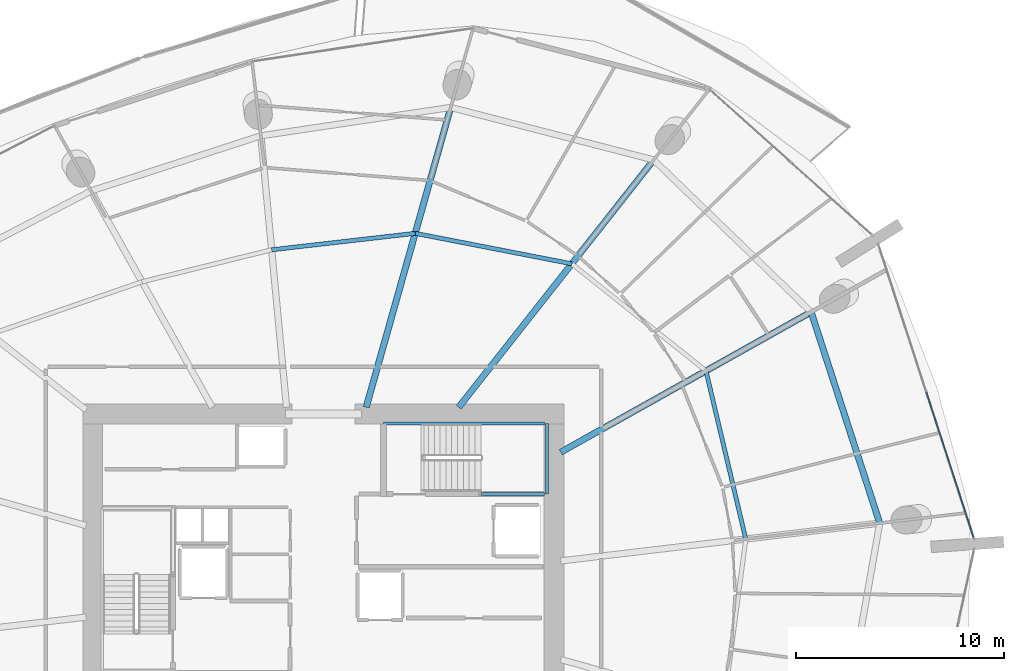
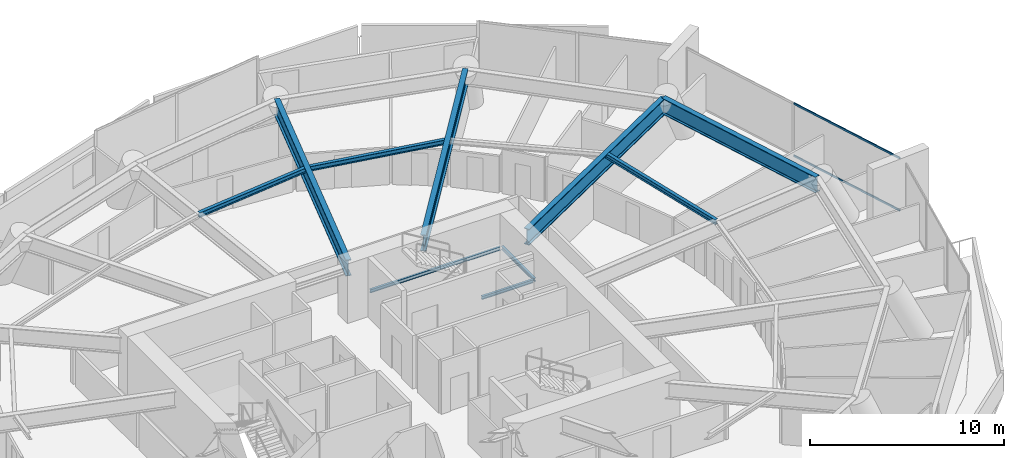
# One storey, part 13 of 31: 10 beams, 2 members, 1 element without a shape of its own.
"""IFC4 building model written with IfcOpenShell, lengths in metres."""

from ifc_helpers import new_model, si_unit, direction, frame, origin, origin_2d, place, context, subcontext, project, spatial, rectangle, i_section, extrude, material, layer, layer_set, material_profile, profile_set, type_object, element, aggregate, save


model = new_model("IFC4")

# Units and contexts
model_context = context("Model", 3, precision=1e-05, world=origin(), true_north=direction((0.0, 1.0)))
body_context = subcontext(model_context, "Body", "Model", "MODEL_VIEW")
ifc_project = project(units=[si_unit("LENGTHUNIT", "METRE"), si_unit("AREAUNIT", "SQUARE_METRE"), si_unit("VOLUMEUNIT", "CUBIC_METRE"), si_unit("PLANEANGLEUNIT", "RADIAN"), si_unit("MASSUNIT", "GRAM", prefix="KILO")], contexts=[model_context])

# Site, building, storey
site_placement = place(None, origin())
site = spatial("IfcSite", under=ifc_project, at=site_placement, CompositionType="ELEMENT")
building_placement = place(site_placement, origin())
building = spatial("IfcBuilding", under=site, at=building_placement, Name="Kazma Halo Residences", CompositionType="ELEMENT")
storey_placement = place(building_placement, frame((0.0, 0.0, 71.39990234375)))
storey = spatial("IfcBuildingStorey", under=building, at=storey_placement, Name="L17", CompositionType="ELEMENT", Elevation=71.39990234375)

# Beams
ifc_material_1 = material(Name="Steel S355", Category="steel")
ifc_material_profile_1 = material_profile(ifc_material_1, i_section(OverallWidth=0.202880859375, OverallDepth=0.302978515625, WebThickness=0.007568359375, FlangeThickness=0.01318359375, FilletRadius=0.013916015625, at=origin_2d()), Name="W310x60")
ifc_profile_set_1 = profile_set([ifc_material_profile_1], Name="Steel S355")
beam_type_1 = type_object("IfcBeamType", Name="BM-SEC-W310A", PredefinedType="JOIST", material=ifc_profile_set_1)
beam_1_placement = place(storey_placement, frame((60.38134765625, 57.70556640625, 3.198486328125), z_axis=(-0.98160264755, 0.190935178326, 0.0), x_axis=(-0.190935178326, -0.98160264755, 0.0)))
element("IfcBeam", 1, at=beam_1_placement, inside=storey, type_object=beam_type_1, Name="L17 circumferential floor joist 02", PredefinedType="JOIST", context=body_context, shape_type="SweptSolid", body=[
    extrude(i_section(OverallWidth=0.202880859375, OverallDepth=0.302978515625, WebThickness=0.007568359375, FlangeThickness=0.01318359375, FilletRadius=0.013916015625, at=origin_2d()), origin(), (0.0, 0.0, 1.0), 7.6796875),
])
beam_2_placement = place(storey_placement, frame((52.843017578125, 59.171875, 3.198486328125), z_axis=(-0.993502208183, -0.113812839067, 0.0), x_axis=(0.113812839067, -0.993502208183, 0.0)))
element("IfcBeam", 2, at=beam_2_placement, inside=storey, type_object=beam_type_1, Name="L17 circumferential floor joist 03", PredefinedType="JOIST", context=body_context, shape_type="SweptSolid", body=[
    extrude(i_section(OverallWidth=0.202880859375, OverallDepth=0.302978515625, WebThickness=0.007568359375, FlangeThickness=0.01318359375, FilletRadius=0.013916015625, at=origin_2d()), origin(), (0.0, 0.0, 1.0), 6.95654296875),
])
beam_3_placement = place(storey_placement, frame((68.7568359375, 44.456787109375, 3.198486328125), z_axis=(-0.230334742122, 0.973111456397, 0.0), x_axis=(-0.973111456397, -0.230334742122, 0.0)))
element("IfcBeam", 3, at=beam_3_placement, inside=storey, type_object=beam_type_1, Name="L17 circumferential floor joist 16", PredefinedType="JOIST", context=body_context, shape_type="SweptSolid", body=[
    extrude(i_section(OverallWidth=0.202880859375, OverallDepth=0.302978515625, WebThickness=0.007568359375, FlangeThickness=0.01318359375, FilletRadius=0.013916015625, at=origin_2d()), origin(), (0.0, 0.0, 1.0), 8.318359375),
])
ifc_material_profile_2 = material_profile(ifc_material_1, i_section(OverallWidth=0.302001953125, OverallDepth=1.01806640625, WebThickness=0.021484375, FlangeThickness=0.049072265625, FilletRadius=0.028076171875, at=origin_2d()), Name="W1000x443")
ifc_profile_set_2 = profile_set([ifc_material_profile_2], Name="Steel S355")
beam_type_2 = type_object("IfcBeamType", Name="BM-TRANS-W1000A", PredefinedType="BEAM", material=ifc_profile_set_2)
beam_4_placement = place(storey_placement, frame((59.85009765625, 48.63623046875, 2.841064453125), z_axis=(0.872492454482, 0.488627585051, 0.0), x_axis=(-0.488627585051, 0.872492454482, 0.0)))
element("IfcBeam", 4, at=beam_4_placement, inside=storey, type_object=beam_type_2, Name="L17 podium radial transfer girder 01", PredefinedType="BEAM", context=body_context, shape_type="SweptSolid", body=[
    extrude(i_section(OverallWidth=0.302001953125, OverallDepth=1.01806640625, WebThickness=0.021484375, FlangeThickness=0.049072265625, FilletRadius=0.028076171875, at=origin_2d()), origin(), (0.0, 0.0, 1.0), 13.814697265625),
])
beam_5_placement = place(storey_placement, frame((54.9375, 50.800048828125, 2.841064453125), z_axis=(0.619088077541, 0.785321559774, 0.0), x_axis=(-0.785321559774, 0.619088077541, 0.0)))
element("IfcBeam", 5, at=beam_5_placement, inside=storey, type_object=beam_type_2, Name="L17 podium radial transfer girder 02", PredefinedType="BEAM", context=body_context, shape_type="SweptSolid", body=[
    extrude(i_section(OverallWidth=0.302001953125, OverallDepth=1.01806640625, WebThickness=0.021484375, FlangeThickness=0.049072265625, FilletRadius=0.028076171875, at=origin_2d()), origin(), (0.0, 0.0, 1.0), 15.160888671875),
])
beam_6_placement = place(storey_placement, frame((50.48193359375, 50.800048828125, 2.841064453125), z_axis=(0.271438512298, 0.962455782902, 0.0), x_axis=(-0.962455782902, 0.271438512298, 0.0)))
element("IfcBeam", 6, at=beam_6_placement, inside=storey, type_object=beam_type_2, Name="L17 podium radial transfer girder 03", PredefinedType="BEAM", context=body_context, shape_type="SweptSolid", body=[
    extrude(i_section(OverallWidth=0.302001953125, OverallDepth=1.01806640625, WebThickness=0.021484375, FlangeThickness=0.049072265625, FilletRadius=0.028076171875, at=origin_2d()), origin(), (0.0, 0.0, 1.0), 14.9970703125),
])
ifc_material_profile_3 = material_profile(ifc_material_1, i_section(OverallWidth=0.300048828125, OverallDepth=1.0, WebThickness=0.01904296875, FlangeThickness=0.0400390625, FilletRadius=0.02587890625, at=origin_2d()), Name="W1000x371")
ifc_profile_set_3 = profile_set([ifc_material_profile_3], Name="Steel S355")
beam_type_3 = type_object("IfcBeamType", Name="BM-TRANS-W1000B", PredefinedType="BEAM", material=ifc_profile_set_3)
beam_7_placement = place(storey_placement, frame((75.20654296875, 45.22021484375, 2.85009765625), z_axis=(-0.309017385422, 0.951056389236, 0.0), x_axis=(-0.951056389236, -0.309017385422, 0.0)))
element("IfcBeam", 7, at=beam_7_placement, inside=storey, type_object=beam_type_3, Name="L17 perimeter ring beam 16", PredefinedType="BEAM", context=body_context, shape_type="SweptSolid", body=[
    extrude(i_section(OverallWidth=0.300048828125, OverallDepth=1.0, WebThickness=0.01904296875, FlangeThickness=0.0400390625, FilletRadius=0.02587890625, at=origin_2d()), origin(), (0.0, 0.0, 1.0), 10.689453125),
])
ifc_material_profile_4 = material_profile(ifc_material_1, i_section(OverallWidth=0.133056640625, OverallDepth=0.20703125, WebThickness=0.005859375, FlangeThickness=0.00830078125, FilletRadius=0.010009765625, at=origin_2d()), Name="W200x26.6")
ifc_profile_set_4 = profile_set([ifc_material_profile_4], Name="Steel S355")
beam_type_4 = type_object("IfcBeamType", Name="BM-TRIM-W200", PredefinedType="BEAM", material=ifc_profile_set_4)
beam_8_placement = place(storey_placement, frame((51.31005859375, 50.02001953125, 1.570068359375), z_axis=(1.0, 0.0, 0.0), x_axis=(0.0, 1.0, 0.0)))
element("IfcBeam", 8, at=beam_8_placement, inside=storey, type_object=beam_type_4, Name="L17 ST-02 landing north wall ledger", PredefinedType="BEAM", context=body_context, shape_type="SweptSolid", body=[
    extrude(i_section(OverallWidth=0.133056640625, OverallDepth=0.20703125, WebThickness=0.005859375, FlangeThickness=0.00830078125, FilletRadius=0.010009765625, at=origin_2d()), origin(), (0.0, 0.0, 1.0), 7.760009765625),
])
beam_9_placement = place(storey_placement, frame((56.0, 46.6201171875, 1.570068359375), z_axis=(1.0, 0.0, 0.0), x_axis=(0.0, 1.0, 0.0)))
element("IfcBeam", 9, at=beam_9_placement, inside=storey, type_object=beam_type_4, Name="L17 ST-02 landing south wall ledger", PredefinedType="BEAM", context=body_context, shape_type="SweptSolid", body=[
    extrude(i_section(OverallWidth=0.133056640625, OverallDepth=0.20703125, WebThickness=0.005859375, FlangeThickness=0.00830078125, FilletRadius=0.010009765625, at=origin_2d()), origin(), (0.0, 0.0, 1.0), 3.070068359375),
])
beam_10_placement = place(storey_placement, frame((59.18994140625, 46.6201171875, 1.570068359375), z_axis=(0.0, 1.0, 0.0), x_axis=(-1.0, 0.0, 0.0)))
element("IfcBeam", 10, at=beam_10_placement, inside=storey, type_object=beam_type_4, Name="L17 ST-02 landing end wall ledger", PredefinedType="BEAM", context=body_context, shape_type="SweptSolid", body=[
    extrude(i_section(OverallWidth=0.133056640625, OverallDepth=0.20703125, WebThickness=0.005859375, FlangeThickness=0.00830078125, FilletRadius=0.010009765625, at=origin_2d()), origin(), (0.0, 0.0, 1.0), 3.39990234375),
])

# Curtain wall, members
ifc_material_2 = material(Name="Aluminium AW-6063 T6 and Triple-Silver Low-E Glass", Category="aluminium")
ifc_layer = layer(ifc_material_2, 0.159912109375)
ifc_layer_set = layer_set([ifc_layer], Name="Aluminium AW-6063 T6 and Triple-Silver Low-E Glass")
curtain_wall_type = type_object("IfcCurtainWallType", Name="CW-SYS-2", PredefinedType="NOTDEFINED", material=ifc_layer_set)
curtain_wall_placement = place(storey_placement, origin())
curtain_wall = element("IfcCurtainWall", 11, at=curtain_wall_placement, inside=storey, type_object=curtain_wall_type, Name="L17 unitised curtain wall B16", PredefinedType="NOTDEFINED")
ifc_material_3 = material(Name="Aluminium AW-6063 T6", Category="aluminium")
ifc_material_profile_5 = material_profile(ifc_material_3, rectangle(XDim=0.06005859375, YDim=0.1201171875, at=origin_2d()), Name="CWT-60x120")
ifc_profile_set_5 = profile_set([ifc_material_profile_5], Name="Aluminium AW-6063 T6")
member_type = type_object("IfcMemberType", Name="CW-SYS-2-TRN", PredefinedType="USERDEFINED", material=ifc_profile_set_5)
member_1_placement = place(storey_placement, frame((79.72900390625, 44.52783203125, 0.030029296875), z_axis=(-0.309034393795, 0.951050862705, 0.0), x_axis=(-0.951050862705, -0.309034393795, 0.0)))
member_1 = element("IfcMember", 12, at=member_1_placement, type_object=member_type, Name="CWS-2 transom 1.1", ObjectType="TRANSOM", PredefinedType="USERDEFINED", context=body_context, shape_type="SweptSolid", body=[
    extrude(rectangle(XDim=0.06005859375, YDim=0.1201171875, at=origin_2d()), origin(), (0.0, 0.0, 1.0), 7.370849609375),
])
member_2_placement = place(storey_placement, frame((79.72900390625, 44.52783203125, 3.320068359375), z_axis=(-0.309034393795, 0.951050862705, 0.0), x_axis=(-0.951050862705, -0.309034393795, 0.0)))
member_2 = element("IfcMember", 13, at=member_2_placement, type_object=member_type, Name="CWS-2 transom 1.2", ObjectType="TRANSOM", PredefinedType="USERDEFINED", context=body_context, shape_type="SweptSolid", body=[
    extrude(rectangle(XDim=0.06005859375, YDim=0.1201171875, at=origin_2d()), origin(), (0.0, 0.0, 1.0), 7.370849609375),
])
aggregate(curtain_wall, [member_1, member_2])

save(model, "model.ifc")
